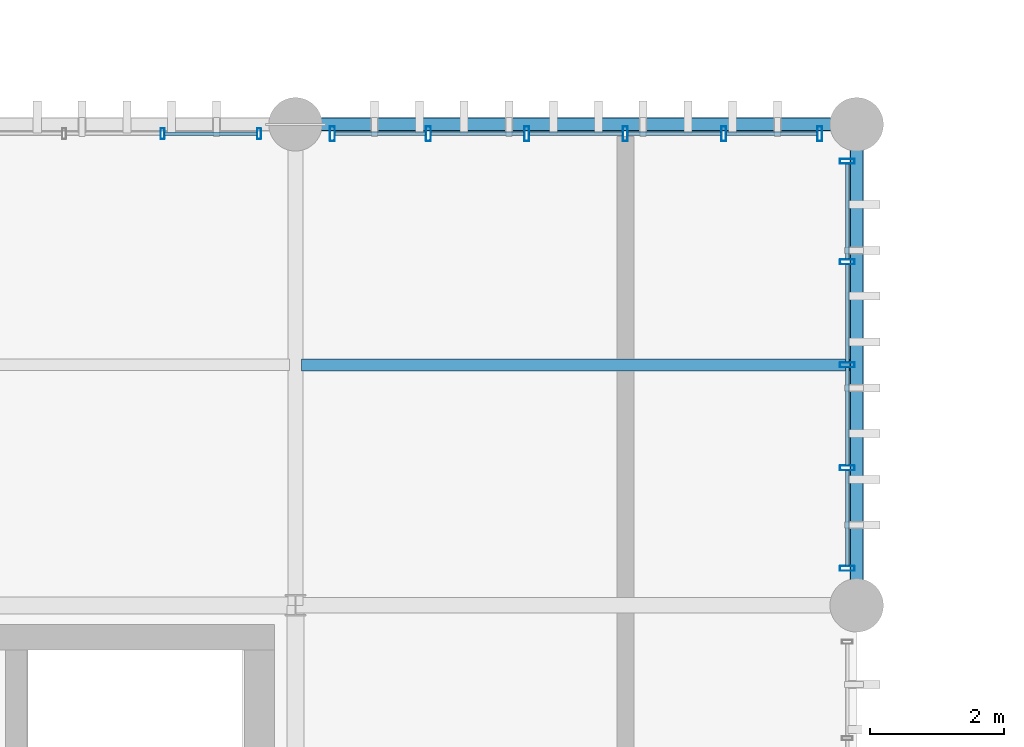
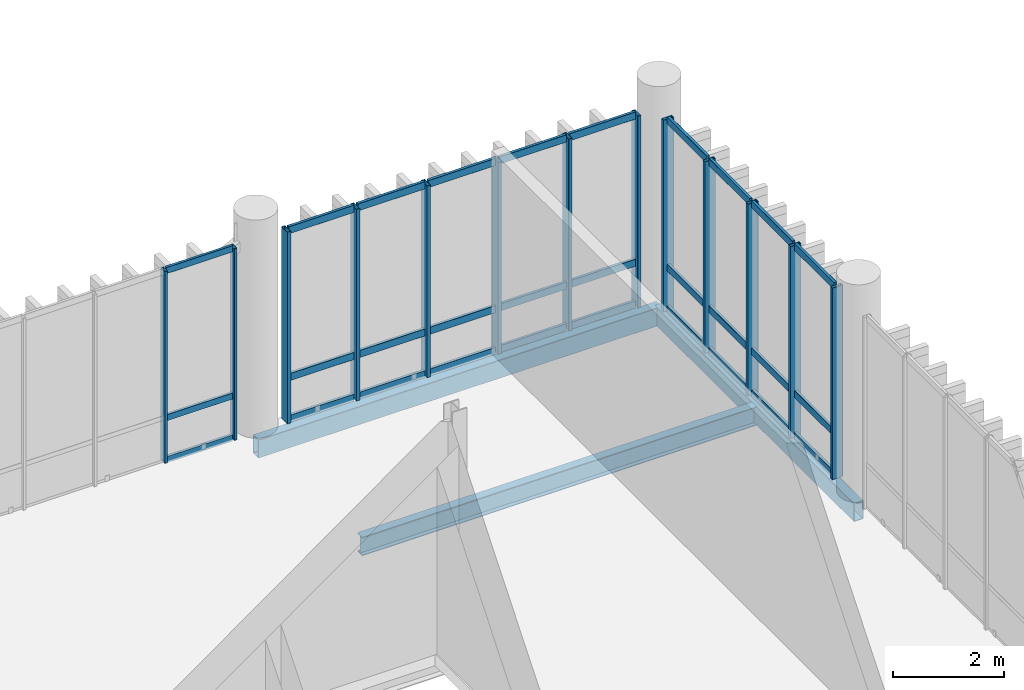
# One storey, part 44 of 94: 43 members, 3 beams, 3 elements without a shape of their own.
"""IFC4 building model written with IfcOpenShell, lengths in metres."""

from ifc_helpers import new_model, si_unit, direction, frame, origin_with_axes, origin_2d_with_axis, place, context, subcontext, project, spatial, hollow_rectangle, i_section, extrude, material, material_profile, profile_set, type_object, element, aggregate, save


model = new_model("IFC4")

# Units and contexts
model_context = context("Model", 3, precision=1e-05, world=origin_with_axes(), true_north=direction((0.0, 1.0)))
body_context = subcontext(model_context, "Body", "Model", "MODEL_VIEW")
ifc_project = project(units=[si_unit("LENGTHUNIT", "METRE"), si_unit("AREAUNIT", "SQUARE_METRE"), si_unit("VOLUMEUNIT", "CUBIC_METRE"), si_unit("PLANEANGLEUNIT", "RADIAN"), si_unit("MASSUNIT", "GRAM", prefix="KILO"), si_unit("THERMODYNAMICTEMPERATUREUNIT", "KELVIN")], contexts=[model_context])

# Site, building, storey
site_placement = place(None, origin_with_axes())
site = spatial("IfcSite", under=ifc_project, at=site_placement, CompositionType="ELEMENT")
building_placement = place(site_placement, origin_with_axes())
building = spatial("IfcBuilding", under=site, at=building_placement, Name="Montbau Bow Law Courts", CompositionType="ELEMENT")
storey_placement = place(building_placement, frame((0.0, 0.0, 15.6), z_axis=(0.0, 0.0, 1.0), x_axis=(1.0, 0.0, 0.0)))
storey = spatial("IfcBuildingStorey", under=building, at=storey_placement, Name="L03", CompositionType="ELEMENT", Elevation=15.6)

# Beams
ifc_material_1 = material(Name="Steel CSA G40.21 Grade 350W (350 MPa)", Category="steel")
ifc_material_profile_1 = material_profile(ifc_material_1, i_section(OverallWidth=0.179, OverallDepth=0.41, WebThickness=0.0088, FlangeThickness=0.0144, at=origin_2d_with_axis()), Name="W410X67", Category="Main", Priority=0)
ifc_profile_set_1 = profile_set([ifc_material_profile_1], Name="Steel CSA G40.21 Grade 350W (350 MPa)")
beam_type_1 = type_object("IfcBeamType", Name="B-JST-02", PredefinedType="JOIST", material=ifc_profile_set_1)
beam_1_placement = place(None, frame((88.891, 58.2, 15.135), z_axis=(1.0, 0.0, 0.0), x_axis=(0.0, 1.0, 0.0)))
element("IfcBeam", 1, at=beam_1_placement, inside=storey, type_object=beam_type_1, Name="JST-L03-S0473:jst2_0473", PredefinedType="JOIST", context=body_context, shape_type="SweptSolid", body=[
    extrude(i_section(OverallWidth=0.179, OverallDepth=0.41, WebThickness=0.0088, FlangeThickness=0.0144, at=origin_2d_with_axis()), origin_with_axes(), (0.0, 0.0, 1.0), 8.229),
])
ifc_material_2 = material(Name="Steel CSA G40.21 Grade 350WT (350 MPa)", Category="steel")
ifc_material_profile_2 = material_profile(ifc_material_2, hollow_rectangle(XDim=0.203, YDim=0.406, WallThickness=0.0127, InnerFilletRadius=0.0254, OuterFilletRadius=0.0127, at=origin_2d_with_axis()), Name="HSS406X203X13", Category="Main", Priority=0)
ifc_profile_set_2 = profile_set([ifc_material_profile_2], Name="Steel CSA G40.21 Grade 350WT (350 MPa)")
beam_type_2 = type_object("IfcBeamType", Name="B-SPN-01", PredefinedType="SPANDREL", material=ifc_profile_set_2)
beam_2_placement = place(None, frame((88.8, 61.8, 15.137), z_axis=(1.0, 0.0, 0.0), x_axis=(0.0, 1.0, 0.0)))
element("IfcBeam", 2, at=beam_2_placement, inside=storey, type_object=beam_type_2, Name="SPN-L03-S0897:bm2_0900", PredefinedType="SPANDREL", context=body_context, shape_type="SweptSolid", body=[
    extrude(hollow_rectangle(XDim=0.203, YDim=0.406, WallThickness=0.0127, InnerFilletRadius=0.0254, OuterFilletRadius=0.0127, at=origin_2d_with_axis()), origin_with_axes(), (0.0, 0.0, 1.0), 8.4),
])
beam_3_placement = place(None, frame((97.2, 54.6, 15.137), z_axis=(0.0, 1.0, 0.0), x_axis=(-1.0, 0.0, 0.0)))
element("IfcBeam", 3, at=beam_3_placement, inside=storey, type_object=beam_type_2, Name="SPN-L03-S0914:bm2_0917", PredefinedType="SPANDREL", context=body_context, shape_type="SweptSolid", body=[
    extrude(hollow_rectangle(XDim=0.203, YDim=0.406, WallThickness=0.0127, InnerFilletRadius=0.0254, OuterFilletRadius=0.0127, at=origin_2d_with_axis()), origin_with_axes(), (0.0, 0.0, 1.0), 7.2),
])

# Curtain wall, members
ifc_material_3 = material(Name="Thermally Broken Extruded Aluminium AA 6063-T6", Category="aluminium")
curtain_wall_type = type_object("IfcCurtainWallType", Name="CW-CRM-01", PredefinedType="NOTDEFINED", material=ifc_material_3)
curtain_wall_1_placement = place(None, frame((89.315, 61.66, 15.6), z_axis=(0.0, 0.0, 1.0), x_axis=(1.0, 0.0, 0.0)))
curtain_wall_1 = element("IfcCurtainWall", 4, at=curtain_wall_1_placement, inside=storey, type_object=curtain_wall_type, Name="CW-L03-186:cw_0186", PredefinedType="NOTDEFINED")
ifc_material_profile_3 = material_profile(ifc_material_3, hollow_rectangle(XDim=0.075, YDim=0.22, WallThickness=0.005, InnerFilletRadius=0.01, OuterFilletRadius=0.005, at=origin_2d_with_axis()), Name="CWM-220X75", Category="Main", Priority=0)
ifc_profile_set_3 = profile_set([ifc_material_profile_3], Name="Thermally Broken Extruded Aluminium AA 6063-T6")
member_type_1 = type_object("IfcMemberType", Name="M-MUL-01", PredefinedType="MULLION", material=ifc_profile_set_3)
member_1_placement = place(None, frame((89.352, 61.66, 15.6), z_axis=(0.0, 0.0, 1.0), x_axis=(1.0, 0.0, 0.0)))
member_1 = element("IfcMember", 5, at=member_1_placement, type_object=member_type_1, Name="CW-L03-186-M01:cw_0186_M01", PredefinedType="MULLION", context=body_context, shape_type="SweptSolid", body=[
    extrude(hollow_rectangle(XDim=0.075, YDim=0.22, WallThickness=0.005, InnerFilletRadius=0.01, OuterFilletRadius=0.005, at=origin_2d_with_axis()), origin_with_axes(), (0.0, 0.0, 1.0), 4.22),
])
member_2_placement = place(None, frame((90.789, 61.66, 15.6), z_axis=(0.0, 0.0, 1.0), x_axis=(1.0, 0.0, 0.0)))
member_2 = element("IfcMember", 6, at=member_2_placement, type_object=member_type_1, Name="CW-L03-186-M02:cw_0186_M02", PredefinedType="MULLION", context=body_context, shape_type="SweptSolid", body=[
    extrude(hollow_rectangle(XDim=0.075, YDim=0.22, WallThickness=0.005, InnerFilletRadius=0.01, OuterFilletRadius=0.005, at=origin_2d_with_axis()), origin_with_axes(), (0.0, 0.0, 1.0), 4.22),
])
member_3_placement = place(None, frame((92.263, 61.66, 15.6), z_axis=(0.0, 0.0, 1.0), x_axis=(1.0, 0.0, 0.0)))
member_3 = element("IfcMember", 7, at=member_3_placement, type_object=member_type_1, Name="CW-L03-186-M03:cw_0186_M03", PredefinedType="MULLION", context=body_context, shape_type="SweptSolid", body=[
    extrude(hollow_rectangle(XDim=0.075, YDim=0.22, WallThickness=0.005, InnerFilletRadius=0.01, OuterFilletRadius=0.005, at=origin_2d_with_axis()), origin_with_axes(), (0.0, 0.0, 1.0), 4.22),
])
member_4_placement = place(None, frame((93.737, 61.66, 15.6), z_axis=(0.0, 0.0, 1.0), x_axis=(1.0, 0.0, 0.0)))
member_4 = element("IfcMember", 8, at=member_4_placement, type_object=member_type_1, Name="CW-L03-186-M04:cw_0186_M04", PredefinedType="MULLION", context=body_context, shape_type="SweptSolid", body=[
    extrude(hollow_rectangle(XDim=0.075, YDim=0.22, WallThickness=0.005, InnerFilletRadius=0.01, OuterFilletRadius=0.005, at=origin_2d_with_axis()), origin_with_axes(), (0.0, 0.0, 1.0), 4.22),
])
member_5_placement = place(None, frame((95.211, 61.66, 15.6), z_axis=(0.0, 0.0, 1.0), x_axis=(1.0, 0.0, 0.0)))
member_5 = element("IfcMember", 9, at=member_5_placement, type_object=member_type_1, Name="CW-L03-186-M05:cw_0186_M05", PredefinedType="MULLION", context=body_context, shape_type="SweptSolid", body=[
    extrude(hollow_rectangle(XDim=0.075, YDim=0.22, WallThickness=0.005, InnerFilletRadius=0.01, OuterFilletRadius=0.005, at=origin_2d_with_axis()), origin_with_axes(), (0.0, 0.0, 1.0), 4.22),
])
member_6_placement = place(None, frame((96.648, 61.66, 15.6), z_axis=(0.0, 0.0, 1.0), x_axis=(1.0, 0.0, 0.0)))
member_6 = element("IfcMember", 10, at=member_6_placement, type_object=member_type_1, Name="CW-L03-186-M06:cw_0186_M06", PredefinedType="MULLION", context=body_context, shape_type="SweptSolid", body=[
    extrude(hollow_rectangle(XDim=0.075, YDim=0.22, WallThickness=0.005, InnerFilletRadius=0.01, OuterFilletRadius=0.005, at=origin_2d_with_axis()), origin_with_axes(), (0.0, 0.0, 1.0), 4.22),
])

curtain_wall_2_placement = place(None, frame((97.06, 55.115, 15.6), z_axis=(0.0, 0.0, 1.0), x_axis=(1.0, 0.0, 0.0)))
curtain_wall_2 = element("IfcCurtainWall", 11, at=curtain_wall_2_placement, inside=storey, type_object=curtain_wall_type, Name="CW-L03-192:cw_0192", PredefinedType="NOTDEFINED")
member_7_placement = place(None, frame((97.06, 55.152, 15.6), z_axis=(0.0, 0.0, 1.0), x_axis=(0.0, 1.0, 0.0)))
member_7 = element("IfcMember", 12, at=member_7_placement, type_object=member_type_1, Name="CW-L03-192-M01:cw_0192_M01", PredefinedType="MULLION", context=body_context, shape_type="SweptSolid", body=[
    extrude(hollow_rectangle(XDim=0.075, YDim=0.22, WallThickness=0.005, InnerFilletRadius=0.01, OuterFilletRadius=0.005, at=origin_2d_with_axis()), origin_with_axes(), (0.0, 0.0, 1.0), 4.22),
])
member_8_placement = place(None, frame((97.06, 56.657, 15.6), z_axis=(0.0, 0.0, 1.0), x_axis=(0.0, 1.0, 0.0)))
member_8 = element("IfcMember", 13, at=member_8_placement, type_object=member_type_1, Name="CW-L03-192-M02:cw_0192_M02", PredefinedType="MULLION", context=body_context, shape_type="SweptSolid", body=[
    extrude(hollow_rectangle(XDim=0.075, YDim=0.22, WallThickness=0.005, InnerFilletRadius=0.01, OuterFilletRadius=0.005, at=origin_2d_with_axis()), origin_with_axes(), (0.0, 0.0, 1.0), 4.22),
])
member_9_placement = place(None, frame((97.06, 58.2, 15.6), z_axis=(0.0, 0.0, 1.0), x_axis=(0.0, 1.0, 0.0)))
member_9 = element("IfcMember", 14, at=member_9_placement, type_object=member_type_1, Name="CW-L03-192-M03:cw_0192_M03", PredefinedType="MULLION", context=body_context, shape_type="SweptSolid", body=[
    extrude(hollow_rectangle(XDim=0.075, YDim=0.22, WallThickness=0.005, InnerFilletRadius=0.01, OuterFilletRadius=0.005, at=origin_2d_with_axis()), origin_with_axes(), (0.0, 0.0, 1.0), 4.22),
])
member_10_placement = place(None, frame((97.06, 59.742, 15.6), z_axis=(0.0, 0.0, 1.0), x_axis=(0.0, 1.0, 0.0)))
member_10 = element("IfcMember", 15, at=member_10_placement, type_object=member_type_1, Name="CW-L03-192-M04:cw_0192_M04", PredefinedType="MULLION", context=body_context, shape_type="SweptSolid", body=[
    extrude(hollow_rectangle(XDim=0.075, YDim=0.22, WallThickness=0.005, InnerFilletRadius=0.01, OuterFilletRadius=0.005, at=origin_2d_with_axis()), origin_with_axes(), (0.0, 0.0, 1.0), 4.22),
])
member_11_placement = place(None, frame((97.06, 61.247, 15.6), z_axis=(0.0, 0.0, 1.0), x_axis=(0.0, 1.0, 0.0)))
member_11 = element("IfcMember", 16, at=member_11_placement, type_object=member_type_1, Name="CW-L03-192-M05:cw_0192_M05", PredefinedType="MULLION", context=body_context, shape_type="SweptSolid", body=[
    extrude(hollow_rectangle(XDim=0.075, YDim=0.22, WallThickness=0.005, InnerFilletRadius=0.01, OuterFilletRadius=0.005, at=origin_2d_with_axis()), origin_with_axes(), (0.0, 0.0, 1.0), 4.22),
])

curtain_wall_3_placement = place(None, frame((80.915, 61.66, 15.6), z_axis=(0.0, 0.0, 1.0), x_axis=(1.0, 0.0, 0.0)))
curtain_wall_3 = element("IfcCurtainWall", 17, at=curtain_wall_3_placement, inside=storey, type_object=curtain_wall_type, Name="CW-L03-185:cw_0185", PredefinedType="NOTDEFINED")
ifc_material_profile_4 = material_profile(ifc_material_3, hollow_rectangle(XDim=0.06, YDim=0.16, WallThickness=0.004, InnerFilletRadius=0.008, OuterFilletRadius=0.004, at=origin_2d_with_axis()), Name="CWM-160X60", Category="Main", Priority=0)
ifc_profile_set_4 = profile_set([ifc_material_profile_4], Name="Thermally Broken Extruded Aluminium AA 6063-T6")
member_type_2 = type_object("IfcMemberType", Name="M-MUL-03", PredefinedType="MULLION", material=ifc_profile_set_4)
member_12_placement = place(None, frame((86.811, 61.66, 15.6), z_axis=(0.0, 0.0, 1.0), x_axis=(1.0, 0.0, 0.0)))
member_12 = element("IfcMember", 18, at=member_12_placement, type_object=member_type_2, Name="CW-L03-185-M05:cw_0185_M05", PredefinedType="MULLION", context=body_context, shape_type="SweptSolid", body=[
    extrude(hollow_rectangle(XDim=0.06, YDim=0.16, WallThickness=0.004, InnerFilletRadius=0.008, OuterFilletRadius=0.004, at=origin_2d_with_axis()), origin_with_axes(), (0.0, 0.0, 1.0), 4.22),
])
member_13_placement = place(None, frame((88.255, 61.66, 15.6), z_axis=(0.0, 0.0, 1.0), x_axis=(1.0, 0.0, 0.0)))
member_13 = element("IfcMember", 19, at=member_13_placement, type_object=member_type_2, Name="CW-L03-185-M06:cw_0185_M06", PredefinedType="MULLION", context=body_context, shape_type="SweptSolid", body=[
    extrude(hollow_rectangle(XDim=0.06, YDim=0.16, WallThickness=0.004, InnerFilletRadius=0.008, OuterFilletRadius=0.004, at=origin_2d_with_axis()), origin_with_axes(), (0.0, 0.0, 1.0), 4.22),
])

# Member
ifc_material_profile_5 = material_profile(ifc_material_3, hollow_rectangle(XDim=0.06, YDim=0.16, WallThickness=0.004, InnerFilletRadius=0.008, OuterFilletRadius=0.004, at=origin_2d_with_axis()), Name="CWT-160X60", Category="Main", Priority=0)
ifc_profile_set_5 = profile_set([ifc_material_profile_5], Name="Thermally Broken Extruded Aluminium AA 6063-T6")
member_type_3 = type_object("IfcMemberType", Name="M-TRN-01", PredefinedType="USERDEFINED", material=ifc_profile_set_5)
member_14_placement = place(None, frame((89.391, 61.66, 15.63), z_axis=(1.0, 0.0, 0.0), x_axis=(0.0, 1.0, 0.0)))
member_14 = element("IfcMember", 20, at=member_14_placement, type_object=member_type_3, Name="CW-L03-186-T01-1:cw_0186_T01_1", ObjectType="TRANSOM", PredefinedType="USERDEFINED", context=body_context, shape_type="SweptSolid", body=[
    extrude(hollow_rectangle(XDim=0.06, YDim=0.16, WallThickness=0.004, InnerFilletRadius=0.008, OuterFilletRadius=0.004, at=origin_2d_with_axis()), origin_with_axes(), (0.0, 0.0, 1.0), 1.358),
])

member_15_placement = place(None, frame((89.391, 61.66, 16.55), z_axis=(1.0, 0.0, 0.0), x_axis=(0.0, 1.0, 0.0)))
member_15 = element("IfcMember", 21, at=member_15_placement, type_object=member_type_3, Name="CW-L03-186-T01-2:cw_0186_T01_2", ObjectType="TRANSOM", PredefinedType="USERDEFINED", context=body_context, shape_type="SweptSolid", body=[
    extrude(hollow_rectangle(XDim=0.06, YDim=0.16, WallThickness=0.004, InnerFilletRadius=0.008, OuterFilletRadius=0.004, at=origin_2d_with_axis()), origin_with_axes(), (0.0, 0.0, 1.0), 1.358),
])

member_16_placement = place(None, frame((89.391, 61.66, 19.79), z_axis=(1.0, 0.0, 0.0), x_axis=(0.0, 1.0, 0.0)))
member_16 = element("IfcMember", 22, at=member_16_placement, type_object=member_type_3, Name="CW-L03-186-T01-3:cw_0186_T01_3", ObjectType="TRANSOM", PredefinedType="USERDEFINED", context=body_context, shape_type="SweptSolid", body=[
    extrude(hollow_rectangle(XDim=0.06, YDim=0.16, WallThickness=0.004, InnerFilletRadius=0.008, OuterFilletRadius=0.004, at=origin_2d_with_axis()), origin_with_axes(), (0.0, 0.0, 1.0), 1.358),
])

member_17_placement = place(None, frame((90.829, 61.66, 15.63), z_axis=(1.0, 0.0, 0.0), x_axis=(0.0, 1.0, 0.0)))
member_17 = element("IfcMember", 23, at=member_17_placement, type_object=member_type_3, Name="CW-L03-186-T02-1:cw_0186_T02_1", ObjectType="TRANSOM", PredefinedType="USERDEFINED", context=body_context, shape_type="SweptSolid", body=[
    extrude(hollow_rectangle(XDim=0.06, YDim=0.16, WallThickness=0.004, InnerFilletRadius=0.008, OuterFilletRadius=0.004, at=origin_2d_with_axis()), origin_with_axes(), (0.0, 0.0, 1.0), 1.395),
])

member_18_placement = place(None, frame((90.829, 61.66, 16.55), z_axis=(1.0, 0.0, 0.0), x_axis=(0.0, 1.0, 0.0)))
member_18 = element("IfcMember", 24, at=member_18_placement, type_object=member_type_3, Name="CW-L03-186-T02-2:cw_0186_T02_2", ObjectType="TRANSOM", PredefinedType="USERDEFINED", context=body_context, shape_type="SweptSolid", body=[
    extrude(hollow_rectangle(XDim=0.06, YDim=0.16, WallThickness=0.004, InnerFilletRadius=0.008, OuterFilletRadius=0.004, at=origin_2d_with_axis()), origin_with_axes(), (0.0, 0.0, 1.0), 1.395),
])

member_19_placement = place(None, frame((90.829, 61.66, 19.79), z_axis=(1.0, 0.0, 0.0), x_axis=(0.0, 1.0, 0.0)))
member_19 = element("IfcMember", 25, at=member_19_placement, type_object=member_type_3, Name="CW-L03-186-T02-3:cw_0186_T02_3", ObjectType="TRANSOM", PredefinedType="USERDEFINED", context=body_context, shape_type="SweptSolid", body=[
    extrude(hollow_rectangle(XDim=0.06, YDim=0.16, WallThickness=0.004, InnerFilletRadius=0.008, OuterFilletRadius=0.004, at=origin_2d_with_axis()), origin_with_axes(), (0.0, 0.0, 1.0), 1.395),
])

member_20_placement = place(None, frame((92.302, 61.66, 15.63), z_axis=(1.0, 0.0, 0.0), x_axis=(0.0, 1.0, 0.0)))
member_20 = element("IfcMember", 26, at=member_20_placement, type_object=member_type_3, Name="CW-L03-186-T03-1:cw_0186_T03_1", ObjectType="TRANSOM", PredefinedType="USERDEFINED", context=body_context, shape_type="SweptSolid", body=[
    extrude(hollow_rectangle(XDim=0.06, YDim=0.16, WallThickness=0.004, InnerFilletRadius=0.008, OuterFilletRadius=0.004, at=origin_2d_with_axis()), origin_with_axes(), (0.0, 0.0, 1.0), 1.396),
])

member_21_placement = place(None, frame((92.302, 61.66, 16.55), z_axis=(1.0, 0.0, 0.0), x_axis=(0.0, 1.0, 0.0)))
member_21 = element("IfcMember", 27, at=member_21_placement, type_object=member_type_3, Name="CW-L03-186-T03-2:cw_0186_T03_2", ObjectType="TRANSOM", PredefinedType="USERDEFINED", context=body_context, shape_type="SweptSolid", body=[
    extrude(hollow_rectangle(XDim=0.06, YDim=0.16, WallThickness=0.004, InnerFilletRadius=0.008, OuterFilletRadius=0.004, at=origin_2d_with_axis()), origin_with_axes(), (0.0, 0.0, 1.0), 1.396),
])

member_22_placement = place(None, frame((92.302, 61.66, 19.79), z_axis=(1.0, 0.0, 0.0), x_axis=(0.0, 1.0, 0.0)))
member_22 = element("IfcMember", 28, at=member_22_placement, type_object=member_type_3, Name="CW-L03-186-T03-3:cw_0186_T03_3", ObjectType="TRANSOM", PredefinedType="USERDEFINED", context=body_context, shape_type="SweptSolid", body=[
    extrude(hollow_rectangle(XDim=0.06, YDim=0.16, WallThickness=0.004, InnerFilletRadius=0.008, OuterFilletRadius=0.004, at=origin_2d_with_axis()), origin_with_axes(), (0.0, 0.0, 1.0), 1.396),
])

member_23_placement = place(None, frame((93.776, 61.66, 15.63), z_axis=(1.0, 0.0, 0.0), x_axis=(0.0, 1.0, 0.0)))
member_23 = element("IfcMember", 29, at=member_23_placement, type_object=member_type_3, Name="CW-L03-186-T04-1:cw_0186_T04_1", ObjectType="TRANSOM", PredefinedType="USERDEFINED", context=body_context, shape_type="SweptSolid", body=[
    extrude(hollow_rectangle(XDim=0.06, YDim=0.16, WallThickness=0.004, InnerFilletRadius=0.008, OuterFilletRadius=0.004, at=origin_2d_with_axis()), origin_with_axes(), (0.0, 0.0, 1.0), 1.396),
])

member_24_placement = place(None, frame((93.776, 61.66, 16.55), z_axis=(1.0, 0.0, 0.0), x_axis=(0.0, 1.0, 0.0)))
member_24 = element("IfcMember", 30, at=member_24_placement, type_object=member_type_3, Name="CW-L03-186-T04-2:cw_0186_T04_2", ObjectType="TRANSOM", PredefinedType="USERDEFINED", context=body_context, shape_type="SweptSolid", body=[
    extrude(hollow_rectangle(XDim=0.06, YDim=0.16, WallThickness=0.004, InnerFilletRadius=0.008, OuterFilletRadius=0.004, at=origin_2d_with_axis()), origin_with_axes(), (0.0, 0.0, 1.0), 1.396),
])

member_25_placement = place(None, frame((93.776, 61.66, 19.79), z_axis=(1.0, 0.0, 0.0), x_axis=(0.0, 1.0, 0.0)))
member_25 = element("IfcMember", 31, at=member_25_placement, type_object=member_type_3, Name="CW-L03-186-T04-3:cw_0186_T04_3", ObjectType="TRANSOM", PredefinedType="USERDEFINED", context=body_context, shape_type="SweptSolid", body=[
    extrude(hollow_rectangle(XDim=0.06, YDim=0.16, WallThickness=0.004, InnerFilletRadius=0.008, OuterFilletRadius=0.004, at=origin_2d_with_axis()), origin_with_axes(), (0.0, 0.0, 1.0), 1.396),
])

member_26_placement = place(None, frame((95.25, 61.66, 15.63), z_axis=(1.0, 0.0, 0.0), x_axis=(0.0, 1.0, 0.0)))
member_26 = element("IfcMember", 32, at=member_26_placement, type_object=member_type_3, Name="CW-L03-186-T05-1:cw_0186_T05_1", ObjectType="TRANSOM", PredefinedType="USERDEFINED", context=body_context, shape_type="SweptSolid", body=[
    extrude(hollow_rectangle(XDim=0.06, YDim=0.16, WallThickness=0.004, InnerFilletRadius=0.008, OuterFilletRadius=0.004, at=origin_2d_with_axis()), origin_with_axes(), (0.0, 0.0, 1.0), 1.359),
])

member_27_placement = place(None, frame((95.25, 61.66, 16.55), z_axis=(1.0, 0.0, 0.0), x_axis=(0.0, 1.0, 0.0)))
member_27 = element("IfcMember", 33, at=member_27_placement, type_object=member_type_3, Name="CW-L03-186-T05-2:cw_0186_T05_2", ObjectType="TRANSOM", PredefinedType="USERDEFINED", context=body_context, shape_type="SweptSolid", body=[
    extrude(hollow_rectangle(XDim=0.06, YDim=0.16, WallThickness=0.004, InnerFilletRadius=0.008, OuterFilletRadius=0.004, at=origin_2d_with_axis()), origin_with_axes(), (0.0, 0.0, 1.0), 1.359),
])

member_28_placement = place(None, frame((95.25, 61.66, 19.79), z_axis=(1.0, 0.0, 0.0), x_axis=(0.0, 1.0, 0.0)))
member_28 = element("IfcMember", 34, at=member_28_placement, type_object=member_type_3, Name="CW-L03-186-T05-3:cw_0186_T05_3", ObjectType="TRANSOM", PredefinedType="USERDEFINED", context=body_context, shape_type="SweptSolid", body=[
    extrude(hollow_rectangle(XDim=0.06, YDim=0.16, WallThickness=0.004, InnerFilletRadius=0.008, OuterFilletRadius=0.004, at=origin_2d_with_axis()), origin_with_axes(), (0.0, 0.0, 1.0), 1.359),
])

aggregate(curtain_wall_1, [member_1, member_2, member_3, member_4, member_5, member_6, member_14, member_15, member_16, member_17, member_18, member_19, member_20, member_21, member_22, member_23, member_24, member_25, member_26, member_27, member_28])

member_29_placement = place(None, frame((97.06, 55.191, 15.63), z_axis=(0.0, 1.0, 0.0), x_axis=(-1.0, 0.0, 0.0)))
member_29 = element("IfcMember", 35, at=member_29_placement, type_object=member_type_3, Name="CW-L03-192-T01-1:cw_0192_T01_1", ObjectType="TRANSOM", PredefinedType="USERDEFINED", context=body_context, shape_type="SweptSolid", body=[
    extrude(hollow_rectangle(XDim=0.06, YDim=0.16, WallThickness=0.004, InnerFilletRadius=0.008, OuterFilletRadius=0.004, at=origin_2d_with_axis()), origin_with_axes(), (0.0, 0.0, 1.0), 1.426),
])

member_30_placement = place(None, frame((97.06, 55.191, 16.55), z_axis=(0.0, 1.0, 0.0), x_axis=(-1.0, 0.0, 0.0)))
member_30 = element("IfcMember", 36, at=member_30_placement, type_object=member_type_3, Name="CW-L03-192-T01-2:cw_0192_T01_2", ObjectType="TRANSOM", PredefinedType="USERDEFINED", context=body_context, shape_type="SweptSolid", body=[
    extrude(hollow_rectangle(XDim=0.06, YDim=0.16, WallThickness=0.004, InnerFilletRadius=0.008, OuterFilletRadius=0.004, at=origin_2d_with_axis()), origin_with_axes(), (0.0, 0.0, 1.0), 1.426),
])

member_31_placement = place(None, frame((97.06, 55.191, 19.79), z_axis=(0.0, 1.0, 0.0), x_axis=(-1.0, 0.0, 0.0)))
member_31 = element("IfcMember", 37, at=member_31_placement, type_object=member_type_3, Name="CW-L03-192-T01-3:cw_0192_T01_3", ObjectType="TRANSOM", PredefinedType="USERDEFINED", context=body_context, shape_type="SweptSolid", body=[
    extrude(hollow_rectangle(XDim=0.06, YDim=0.16, WallThickness=0.004, InnerFilletRadius=0.008, OuterFilletRadius=0.004, at=origin_2d_with_axis()), origin_with_axes(), (0.0, 0.0, 1.0), 1.426),
])

member_32_placement = place(None, frame((97.06, 56.697, 15.63), z_axis=(0.0, 1.0, 0.0), x_axis=(-1.0, 0.0, 0.0)))
member_32 = element("IfcMember", 38, at=member_32_placement, type_object=member_type_3, Name="CW-L03-192-T02-1:cw_0192_T02_1", ObjectType="TRANSOM", PredefinedType="USERDEFINED", context=body_context, shape_type="SweptSolid", body=[
    extrude(hollow_rectangle(XDim=0.06, YDim=0.16, WallThickness=0.004, InnerFilletRadius=0.008, OuterFilletRadius=0.004, at=origin_2d_with_axis()), origin_with_axes(), (0.0, 0.0, 1.0), 1.464),
])

member_33_placement = place(None, frame((97.06, 56.697, 16.55), z_axis=(0.0, 1.0, 0.0), x_axis=(-1.0, 0.0, 0.0)))
member_33 = element("IfcMember", 39, at=member_33_placement, type_object=member_type_3, Name="CW-L03-192-T02-2:cw_0192_T02_2", ObjectType="TRANSOM", PredefinedType="USERDEFINED", context=body_context, shape_type="SweptSolid", body=[
    extrude(hollow_rectangle(XDim=0.06, YDim=0.16, WallThickness=0.004, InnerFilletRadius=0.008, OuterFilletRadius=0.004, at=origin_2d_with_axis()), origin_with_axes(), (0.0, 0.0, 1.0), 1.464),
])

member_34_placement = place(None, frame((97.06, 56.697, 19.79), z_axis=(0.0, 1.0, 0.0), x_axis=(-1.0, 0.0, 0.0)))
member_34 = element("IfcMember", 40, at=member_34_placement, type_object=member_type_3, Name="CW-L03-192-T02-3:cw_0192_T02_3", ObjectType="TRANSOM", PredefinedType="USERDEFINED", context=body_context, shape_type="SweptSolid", body=[
    extrude(hollow_rectangle(XDim=0.06, YDim=0.16, WallThickness=0.004, InnerFilletRadius=0.008, OuterFilletRadius=0.004, at=origin_2d_with_axis()), origin_with_axes(), (0.0, 0.0, 1.0), 1.464),
])

member_35_placement = place(None, frame((97.06, 58.239, 15.63), z_axis=(0.0, 1.0, 0.0), x_axis=(-1.0, 0.0, 0.0)))
member_35 = element("IfcMember", 41, at=member_35_placement, type_object=member_type_3, Name="CW-L03-192-T03-1:cw_0192_T03_1", ObjectType="TRANSOM", PredefinedType="USERDEFINED", context=body_context, shape_type="SweptSolid", body=[
    extrude(hollow_rectangle(XDim=0.06, YDim=0.16, WallThickness=0.004, InnerFilletRadius=0.008, OuterFilletRadius=0.004, at=origin_2d_with_axis()), origin_with_axes(), (0.0, 0.0, 1.0), 1.464),
])

member_36_placement = place(None, frame((97.06, 58.239, 16.55), z_axis=(0.0, 1.0, 0.0), x_axis=(-1.0, 0.0, 0.0)))
member_36 = element("IfcMember", 42, at=member_36_placement, type_object=member_type_3, Name="CW-L03-192-T03-2:cw_0192_T03_2", ObjectType="TRANSOM", PredefinedType="USERDEFINED", context=body_context, shape_type="SweptSolid", body=[
    extrude(hollow_rectangle(XDim=0.06, YDim=0.16, WallThickness=0.004, InnerFilletRadius=0.008, OuterFilletRadius=0.004, at=origin_2d_with_axis()), origin_with_axes(), (0.0, 0.0, 1.0), 1.464),
])

member_37_placement = place(None, frame((97.06, 58.239, 19.79), z_axis=(0.0, 1.0, 0.0), x_axis=(-1.0, 0.0, 0.0)))
member_37 = element("IfcMember", 43, at=member_37_placement, type_object=member_type_3, Name="CW-L03-192-T03-3:cw_0192_T03_3", ObjectType="TRANSOM", PredefinedType="USERDEFINED", context=body_context, shape_type="SweptSolid", body=[
    extrude(hollow_rectangle(XDim=0.06, YDim=0.16, WallThickness=0.004, InnerFilletRadius=0.008, OuterFilletRadius=0.004, at=origin_2d_with_axis()), origin_with_axes(), (0.0, 0.0, 1.0), 1.464),
])

member_38_placement = place(None, frame((97.06, 59.781, 15.63), z_axis=(0.0, 1.0, 0.0), x_axis=(-1.0, 0.0, 0.0)))
member_38 = element("IfcMember", 44, at=member_38_placement, type_object=member_type_3, Name="CW-L03-192-T04-1:cw_0192_T04_1", ObjectType="TRANSOM", PredefinedType="USERDEFINED", context=body_context, shape_type="SweptSolid", body=[
    extrude(hollow_rectangle(XDim=0.06, YDim=0.16, WallThickness=0.004, InnerFilletRadius=0.008, OuterFilletRadius=0.004, at=origin_2d_with_axis()), origin_with_axes(), (0.0, 0.0, 1.0), 1.427),
])

member_39_placement = place(None, frame((97.06, 59.781, 16.55), z_axis=(0.0, 1.0, 0.0), x_axis=(-1.0, 0.0, 0.0)))
member_39 = element("IfcMember", 45, at=member_39_placement, type_object=member_type_3, Name="CW-L03-192-T04-2:cw_0192_T04_2", ObjectType="TRANSOM", PredefinedType="USERDEFINED", context=body_context, shape_type="SweptSolid", body=[
    extrude(hollow_rectangle(XDim=0.06, YDim=0.16, WallThickness=0.004, InnerFilletRadius=0.008, OuterFilletRadius=0.004, at=origin_2d_with_axis()), origin_with_axes(), (0.0, 0.0, 1.0), 1.427),
])

member_40_placement = place(None, frame((97.06, 59.781, 19.79), z_axis=(0.0, 1.0, 0.0), x_axis=(-1.0, 0.0, 0.0)))
member_40 = element("IfcMember", 46, at=member_40_placement, type_object=member_type_3, Name="CW-L03-192-T04-3:cw_0192_T04_3", ObjectType="TRANSOM", PredefinedType="USERDEFINED", context=body_context, shape_type="SweptSolid", body=[
    extrude(hollow_rectangle(XDim=0.06, YDim=0.16, WallThickness=0.004, InnerFilletRadius=0.008, OuterFilletRadius=0.004, at=origin_2d_with_axis()), origin_with_axes(), (0.0, 0.0, 1.0), 1.427),
])

aggregate(curtain_wall_2, [member_7, member_8, member_9, member_10, member_11, member_29, member_30, member_31, member_32, member_33, member_34, member_35, member_36, member_37, member_38, member_39, member_40])

ifc_material_profile_6 = material_profile(ifc_material_3, hollow_rectangle(XDim=0.055, YDim=0.14, WallThickness=0.004, InnerFilletRadius=0.008, OuterFilletRadius=0.004, at=origin_2d_with_axis()), Name="CWT-140X55", Category="Main", Priority=0)
ifc_profile_set_6 = profile_set([ifc_material_profile_6], Name="Thermally Broken Extruded Aluminium AA 6063-T6")
member_type_4 = type_object("IfcMemberType", Name="M-TRN-02", PredefinedType="USERDEFINED", material=ifc_profile_set_6)
member_41_placement = place(None, frame((86.843, 61.66, 15.627), z_axis=(1.0, 0.0, 0.0), x_axis=(0.0, 1.0, 0.0)))
member_41 = element("IfcMember", 47, at=member_41_placement, type_object=member_type_4, Name="CW-L03-185-T05-1:cw_0185_T05_1", ObjectType="TRANSOM", PredefinedType="USERDEFINED", context=body_context, shape_type="SweptSolid", body=[
    extrude(hollow_rectangle(XDim=0.055, YDim=0.14, WallThickness=0.004, InnerFilletRadius=0.008, OuterFilletRadius=0.004, at=origin_2d_with_axis()), origin_with_axes(), (0.0, 0.0, 1.0), 1.38),
])

member_42_placement = place(None, frame((86.843, 61.66, 16.55), z_axis=(1.0, 0.0, 0.0), x_axis=(0.0, 1.0, 0.0)))
member_42 = element("IfcMember", 48, at=member_42_placement, type_object=member_type_4, Name="CW-L03-185-T05-2:cw_0185_T05_2", ObjectType="TRANSOM", PredefinedType="USERDEFINED", context=body_context, shape_type="SweptSolid", body=[
    extrude(hollow_rectangle(XDim=0.055, YDim=0.14, WallThickness=0.004, InnerFilletRadius=0.008, OuterFilletRadius=0.004, at=origin_2d_with_axis()), origin_with_axes(), (0.0, 0.0, 1.0), 1.38),
])

member_43_placement = place(None, frame((86.843, 61.66, 19.793), z_axis=(1.0, 0.0, 0.0), x_axis=(0.0, 1.0, 0.0)))
member_43 = element("IfcMember", 49, at=member_43_placement, type_object=member_type_4, Name="CW-L03-185-T05-3:cw_0185_T05_3", ObjectType="TRANSOM", PredefinedType="USERDEFINED", context=body_context, shape_type="SweptSolid", body=[
    extrude(hollow_rectangle(XDim=0.055, YDim=0.14, WallThickness=0.004, InnerFilletRadius=0.008, OuterFilletRadius=0.004, at=origin_2d_with_axis()), origin_with_axes(), (0.0, 0.0, 1.0), 1.38),
])

aggregate(curtain_wall_3, [member_12, member_13, member_41, member_42, member_43])

save(model, "model.ifc")
